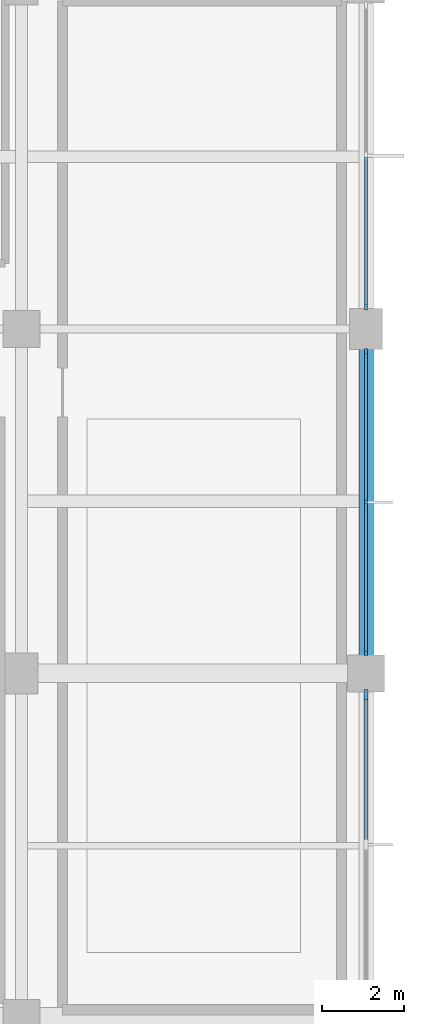
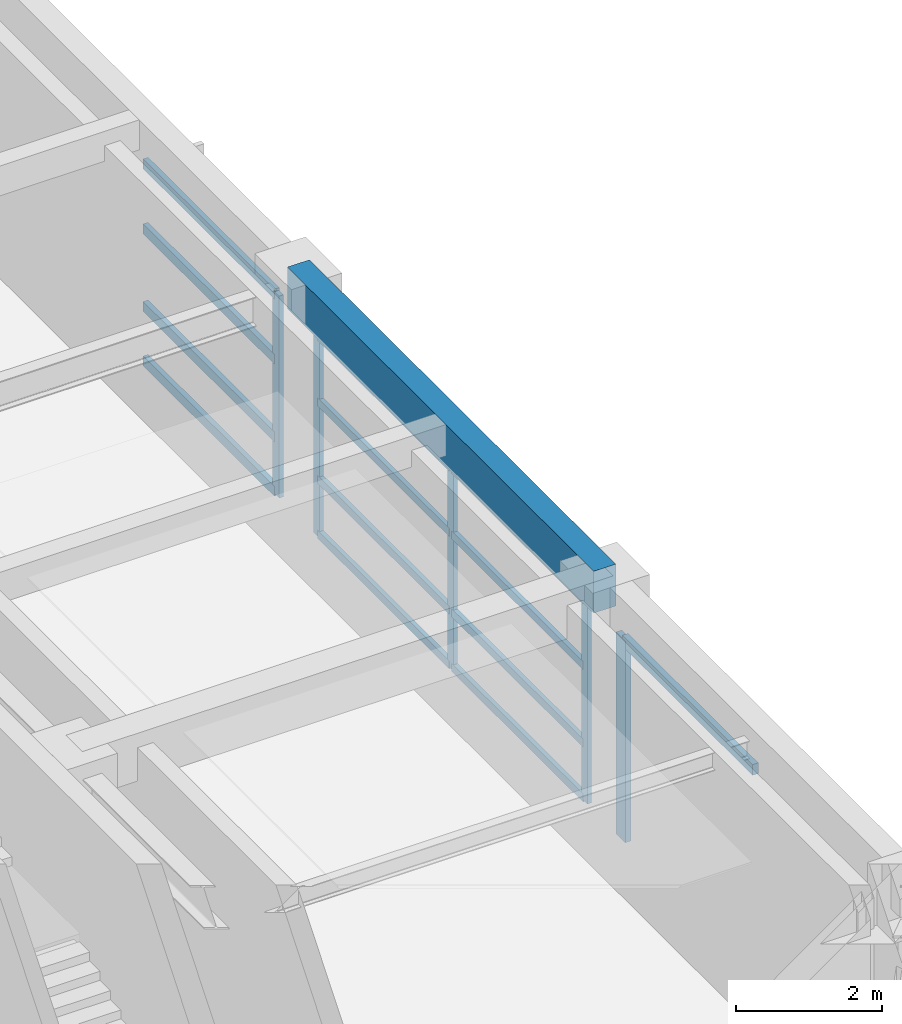
# One storey, part 4 of 11: 18 members, 1 beam, 3 elements without a shape of their own.
"""IFC4 building model written with IfcOpenShell, lengths in metres."""

from ifc_helpers import new_model, si_unit, direction, frame, origin, origin_2d, place, context, subcontext, project, spatial, rectangle, extrude, material, material_profile, profile_set, type_object, element, aggregate, save


model = new_model("IFC4")

# Units and contexts
model_context = context("Model", 3, precision=1e-05, world=origin(), true_north=direction((0.0, 1.0)))
body_context = subcontext(model_context, "Body", "Model", "MODEL_VIEW")
ifc_project = project(units=[si_unit("LENGTHUNIT", "METRE"), si_unit("AREAUNIT", "SQUARE_METRE"), si_unit("VOLUMEUNIT", "CUBIC_METRE"), si_unit("PLANEANGLEUNIT", "RADIAN"), si_unit("MASSUNIT", "GRAM", prefix="KILO")], contexts=[model_context])

# Site, building, storey
site_placement = place(None, origin())
site = spatial("IfcSite", under=ifc_project, at=site_placement, CompositionType="ELEMENT")
building_placement = place(site_placement, origin())
building = spatial("IfcBuilding", under=site, at=building_placement, Name="Xuanlan Plaza Opera House", CompositionType="ELEMENT")
storey_placement = place(building_placement, frame((0.0, 0.0, 57.300048828125)))
storey = spatial("IfcBuildingStorey", under=building, at=storey_placement, Name="L13", CompositionType="ELEMENT", Elevation=57.300048828125)

# Curtain wall, members
ifc_material_1 = material(Name="Anodised Aluminium 6063-T6 and Low-E Glass", Category="aluminium")
curtain_wall_type_1 = type_object("IfcCurtainWallType", Name="ENV-CW-CW-01", PredefinedType="USERDEFINED", material=ifc_material_1)
curtain_wall_1_placement = place(storey_placement, origin())
curtain_wall_1 = element("IfcCurtainWall", 1, at=curtain_wall_1_placement, inside=storey, type_object=curtain_wall_type_1, Name="Unitised Curtain Wall L13-006", ObjectType="UNITISED CURTAIN WALL", PredefinedType="USERDEFINED")
ifc_material_2 = material(Name="Anodised Aluminium 6063-T6", Category="aluminium")
ifc_material_profile_1 = material_profile(ifc_material_2, rectangle(XDim=0.06494140625, YDim=0.159912109375, at=origin_2d()), Name="ALU-M 65x160")
ifc_profile_set_1 = profile_set([ifc_material_profile_1], Name="Anodised Aluminium 6063-T6")
member_type_1 = type_object("IfcMemberType", Name="ENV-CWM-01", PredefinedType="MULLION", material=ifc_profile_set_1)
member_1_placement = place(storey_placement, frame((159.60009765625, 59.302490234375, 0.0), z_axis=(0.0, 0.0, 1.0), x_axis=(-1.0, 0.0, 0.0)))
member_1 = element("IfcMember", 2, at=member_1_placement, type_object=member_type_1, Name="CW-01 mullion 1", PredefinedType="MULLION", context=body_context, shape_type="SweptSolid", body=[
    extrude(rectangle(XDim=0.06494140625, YDim=0.159912109375, at=origin_2d()), origin(), (0.0, 0.0, 1.0), 3.3798828125),
])
member_2_placement = place(storey_placement, frame((159.60009765625, 62.97509765625, 0.0), z_axis=(0.0, 0.0, 1.0), x_axis=(-1.0, 0.0, 0.0)))
member_2 = element("IfcMember", 3, at=member_2_placement, type_object=member_type_1, Name="CW-01 mullion 2", PredefinedType="MULLION", context=body_context, shape_type="SweptSolid", body=[
    extrude(rectangle(XDim=0.06494140625, YDim=0.159912109375, at=origin_2d()), origin(), (0.0, 0.0, 1.0), 3.3798828125),
])
member_3_placement = place(storey_placement, frame((159.60009765625, 66.6474609375, 0.0), z_axis=(0.0, 0.0, 1.0), x_axis=(-1.0, 0.0, 0.0)))
member_3 = element("IfcMember", 4, at=member_3_placement, type_object=member_type_1, Name="CW-01 mullion 3", PredefinedType="MULLION", context=body_context, shape_type="SweptSolid", body=[
    extrude(rectangle(XDim=0.06494140625, YDim=0.159912109375, at=origin_2d()), origin(), (0.0, 0.0, 1.0), 3.3798828125),
])

# Curtain wall, member
curtain_wall_type_2 = type_object("IfcCurtainWallType", Name="ENV-CW-CW-02", PredefinedType="USERDEFINED", material=ifc_material_1)
curtain_wall_2_placement = place(storey_placement, origin())
curtain_wall_2 = element("IfcCurtainWall", 5, at=curtain_wall_2_placement, inside=storey, type_object=curtain_wall_type_2, Name="Unitised Curtain Wall L13-007", ObjectType="UNITISED CURTAIN WALL", PredefinedType="USERDEFINED")
ifc_material_profile_2 = material_profile(ifc_material_2, rectangle(XDim=0.070068359375, YDim=0.179931640625, at=origin_2d()), Name="ALU-M 70x180")
ifc_profile_set_2 = profile_set([ifc_material_profile_2], Name="Anodised Aluminium 6063-T6")
member_type_2 = type_object("IfcMemberType", Name="ENV-CWM-02", PredefinedType="MULLION", material=ifc_profile_set_2)
member_4_placement = place(storey_placement, frame((159.60009765625, 67.7548828125, 0.0), z_axis=(0.0, 0.0, 1.0), x_axis=(-1.0, 0.0, 0.0)))
member_4 = element("IfcMember", 6, at=member_4_placement, type_object=member_type_2, Name="CW-02 mullion 1", PredefinedType="MULLION", context=body_context, shape_type="SweptSolid", body=[
    extrude(rectangle(XDim=0.070068359375, YDim=0.179931640625, at=origin_2d()), origin(), (0.0, 0.0, 1.0), 3.3798828125),
])

curtain_wall_type_3 = type_object("IfcCurtainWallType", Name="ENV-CW-CW-04", PredefinedType="USERDEFINED", material=ifc_material_1)
curtain_wall_3_placement = place(storey_placement, origin())
curtain_wall_3 = element("IfcCurtainWall", 7, at=curtain_wall_3_placement, inside=storey, type_object=curtain_wall_type_3, Name="Unitised Curtain Wall L13-005", ObjectType="UNITISED CURTAIN WALL", PredefinedType="USERDEFINED")
ifc_material_profile_3 = material_profile(ifc_material_2, rectangle(XDim=0.090087890625, YDim=0.25, at=origin_2d()), Name="ALU-M 90x250")
ifc_profile_set_3 = profile_set([ifc_material_profile_3], Name="Anodised Aluminium 6063-T6")
member_type_3 = type_object("IfcMemberType", Name="ENV-CWM-05", PredefinedType="MULLION", material=ifc_profile_set_3)
member_5_placement = place(storey_placement, frame((159.60009765625, 58.284912109375, 0.0), z_axis=(0.0, 0.0, 1.0), x_axis=(-1.0, 0.0, 0.0)))
member_5 = element("IfcMember", 8, at=member_5_placement, type_object=member_type_3, Name="CW-04 mullion 3", PredefinedType="MULLION", context=body_context, shape_type="SweptSolid", body=[
    extrude(rectangle(XDim=0.090087890625, YDim=0.25, at=origin_2d()), origin(), (0.0, 0.0, 1.0), 3.3798828125),
])

# Member
ifc_material_profile_4 = material_profile(ifc_material_2, rectangle(XDim=0.070068359375, YDim=0.135009765625, at=origin_2d()), Name="ALU-T 70x135")
ifc_profile_set_4 = profile_set([ifc_material_profile_4], Name="Anodised Aluminium 6063-T6")
member_type_4 = type_object("IfcMemberType", Name="ENV-CWT-02", PredefinedType="USERDEFINED", material=ifc_profile_set_4)
member_6_placement = place(storey_placement, frame((159.60009765625, 59.3349609375, 0.034912109375), z_axis=(0.0, 1.0, 0.0), x_axis=(-1.0, 0.0, 0.0)))
member_6 = element("IfcMember", 9, at=member_6_placement, type_object=member_type_4, Name="CW-01 transom 1.1", ObjectType="TRANSOM", PredefinedType="USERDEFINED", context=body_context, shape_type="SweptSolid", body=[
    extrude(rectangle(XDim=0.070068359375, YDim=0.135009765625, at=origin_2d()), origin(), (0.0, 0.0, 1.0), 3.607421875),
])

member_7_placement = place(storey_placement, frame((159.60009765625, 59.3349609375, 0.949951171875), z_axis=(0.0, 1.0, 0.0), x_axis=(-1.0, 0.0, 0.0)))
member_7 = element("IfcMember", 10, at=member_7_placement, type_object=member_type_4, Name="CW-01 transom 1.2", ObjectType="TRANSOM", PredefinedType="USERDEFINED", context=body_context, shape_type="SweptSolid", body=[
    extrude(rectangle(XDim=0.070068359375, YDim=0.135009765625, at=origin_2d()), origin(), (0.0, 0.0, 1.0), 3.607421875),
])

member_8_placement = place(storey_placement, frame((159.60009765625, 59.3349609375, 2.25), z_axis=(0.0, 1.0, 0.0), x_axis=(-1.0, 0.0, 0.0)))
member_8 = element("IfcMember", 11, at=member_8_placement, type_object=member_type_4, Name="CW-01 transom 1.3", ObjectType="TRANSOM", PredefinedType="USERDEFINED", context=body_context, shape_type="SweptSolid", body=[
    extrude(rectangle(XDim=0.070068359375, YDim=0.135009765625, at=origin_2d()), origin(), (0.0, 0.0, 1.0), 3.607421875),
])

member_9_placement = place(storey_placement, frame((159.60009765625, 59.3349609375, 3.344970703125), z_axis=(0.0, 1.0, 0.0), x_axis=(-1.0, 0.0, 0.0)))
member_9 = element("IfcMember", 12, at=member_9_placement, type_object=member_type_4, Name="CW-01 transom 1.4", ObjectType="TRANSOM", PredefinedType="USERDEFINED", context=body_context, shape_type="SweptSolid", body=[
    extrude(rectangle(XDim=0.070068359375, YDim=0.135009765625, at=origin_2d()), origin(), (0.0, 0.0, 1.0), 3.607421875),
])

member_10_placement = place(storey_placement, frame((159.60009765625, 63.007568359375, 0.034912109375), z_axis=(0.0, 1.0, 0.0), x_axis=(-1.0, 0.0, 0.0)))
member_10 = element("IfcMember", 13, at=member_10_placement, type_object=member_type_4, Name="CW-01 transom 2.1", ObjectType="TRANSOM", PredefinedType="USERDEFINED", context=body_context, shape_type="SweptSolid", body=[
    extrude(rectangle(XDim=0.070068359375, YDim=0.135009765625, at=origin_2d()), origin(), (0.0, 0.0, 1.0), 3.607421875),
])

member_11_placement = place(storey_placement, frame((159.60009765625, 63.007568359375, 0.949951171875), z_axis=(0.0, 1.0, 0.0), x_axis=(-1.0, 0.0, 0.0)))
member_11 = element("IfcMember", 14, at=member_11_placement, type_object=member_type_4, Name="CW-01 transom 2.2", ObjectType="TRANSOM", PredefinedType="USERDEFINED", context=body_context, shape_type="SweptSolid", body=[
    extrude(rectangle(XDim=0.070068359375, YDim=0.135009765625, at=origin_2d()), origin(), (0.0, 0.0, 1.0), 3.607421875),
])

member_12_placement = place(storey_placement, frame((159.60009765625, 63.007568359375, 2.25), z_axis=(0.0, 1.0, 0.0), x_axis=(-1.0, 0.0, 0.0)))
member_12 = element("IfcMember", 15, at=member_12_placement, type_object=member_type_4, Name="CW-01 transom 2.3", ObjectType="TRANSOM", PredefinedType="USERDEFINED", context=body_context, shape_type="SweptSolid", body=[
    extrude(rectangle(XDim=0.070068359375, YDim=0.135009765625, at=origin_2d()), origin(), (0.0, 0.0, 1.0), 3.607421875),
])

member_13_placement = place(storey_placement, frame((159.60009765625, 63.007568359375, 3.344970703125), z_axis=(0.0, 1.0, 0.0), x_axis=(-1.0, 0.0, 0.0)))
member_13 = element("IfcMember", 16, at=member_13_placement, type_object=member_type_4, Name="CW-01 transom 2.4", ObjectType="TRANSOM", PredefinedType="USERDEFINED", context=body_context, shape_type="SweptSolid", body=[
    extrude(rectangle(XDim=0.070068359375, YDim=0.135009765625, at=origin_2d()), origin(), (0.0, 0.0, 1.0), 3.607421875),
])

aggregate(curtain_wall_1, [member_1, member_2, member_3, member_6, member_7, member_8, member_9, member_10, member_11, member_12, member_13])

ifc_material_profile_5 = material_profile(ifc_material_2, rectangle(XDim=0.080078125, YDim=0.1650390625, at=origin_2d()), Name="ALU-T 80x165")
ifc_profile_set_5 = profile_set([ifc_material_profile_5], Name="Anodised Aluminium 6063-T6")
member_type_5 = type_object("IfcMemberType", Name="ENV-CWT-04", PredefinedType="USERDEFINED", material=ifc_profile_set_5)
member_14_placement = place(storey_placement, frame((159.60009765625, 67.7900390625, 0.0400390625), z_axis=(0.0, 1.0, 0.0), x_axis=(-1.0, 0.0, 0.0)))
member_14 = element("IfcMember", 17, at=member_14_placement, type_object=member_type_5, Name="CW-02 transom 1.1", ObjectType="TRANSOM", PredefinedType="USERDEFINED", context=body_context, shape_type="SweptSolid", body=[
    extrude(rectangle(XDim=0.080078125, YDim=0.1650390625, at=origin_2d()), origin(), (0.0, 0.0, 1.0), 3.599853515625),
])

member_15_placement = place(storey_placement, frame((159.60009765625, 67.7900390625, 0.949951171875), z_axis=(0.0, 1.0, 0.0), x_axis=(-1.0, 0.0, 0.0)))
member_15 = element("IfcMember", 18, at=member_15_placement, type_object=member_type_5, Name="CW-02 transom 1.2", ObjectType="TRANSOM", PredefinedType="USERDEFINED", context=body_context, shape_type="SweptSolid", body=[
    extrude(rectangle(XDim=0.080078125, YDim=0.1650390625, at=origin_2d()), origin(), (0.0, 0.0, 1.0), 3.599853515625),
])

member_16_placement = place(storey_placement, frame((159.60009765625, 67.7900390625, 2.25), z_axis=(0.0, 1.0, 0.0), x_axis=(-1.0, 0.0, 0.0)))
member_16 = element("IfcMember", 19, at=member_16_placement, type_object=member_type_5, Name="CW-02 transom 1.3", ObjectType="TRANSOM", PredefinedType="USERDEFINED", context=body_context, shape_type="SweptSolid", body=[
    extrude(rectangle(XDim=0.080078125, YDim=0.1650390625, at=origin_2d()), origin(), (0.0, 0.0, 1.0), 3.599853515625),
])

member_17_placement = place(storey_placement, frame((159.60009765625, 67.7900390625, 3.33984375), z_axis=(0.0, 1.0, 0.0), x_axis=(-1.0, 0.0, 0.0)))
member_17 = element("IfcMember", 20, at=member_17_placement, type_object=member_type_5, Name="CW-02 transom 1.4", ObjectType="TRANSOM", PredefinedType="USERDEFINED", context=body_context, shape_type="SweptSolid", body=[
    extrude(rectangle(XDim=0.080078125, YDim=0.1650390625, at=origin_2d()), origin(), (0.0, 0.0, 1.0), 3.599853515625),
])

aggregate(curtain_wall_2, [member_4, member_14, member_15, member_16, member_17])

ifc_material_profile_6 = material_profile(ifc_material_2, rectangle(XDim=0.090087890625, YDim=0.179931640625, at=origin_2d()), Name="ALU-T 90x180")
ifc_profile_set_6 = profile_set([ifc_material_profile_6], Name="Anodised Aluminium 6063-T6")
member_type_6 = type_object("IfcMemberType", Name="ENV-CWT-05", PredefinedType="USERDEFINED", material=ifc_profile_set_6)
member_18_placement = place(storey_placement, frame((159.60009765625, 54.669921875, 3.3349609375), z_axis=(0.0, 1.0, 0.0), x_axis=(-1.0, 0.0, 0.0)))
member_18 = element("IfcMember", 21, at=member_18_placement, type_object=member_type_6, Name="CW-04 transom 2.4", ObjectType="TRANSOM", PredefinedType="USERDEFINED", context=body_context, shape_type="SweptSolid", body=[
    extrude(rectangle(XDim=0.090087890625, YDim=0.179931640625, at=origin_2d()), origin(), (0.0, 0.0, 1.0), 3.570068359375),
])

aggregate(curtain_wall_3, [member_5, member_18])

# Beam
ifc_material_3 = material(Name="Concrete C40", Category="concrete")
ifc_material_profile_7 = material_profile(ifc_material_3, rectangle(XDim=0.35009765625, YDim=0.699951171875, at=origin_2d()), Name="RC-SPD 350x700")
ifc_profile_set_7 = profile_set([ifc_material_profile_7], Name="Concrete C40")
beam_type = type_object("IfcBeamType", Name="STR-BM-SP-02", PredefinedType="SPANDREL", material=ifc_profile_set_7)
beam_placement = place(storey_placement, frame((159.60009765625, 58.800048828125, 3.849853515625), z_axis=(0.0, 1.0, 0.0), x_axis=(-1.0, 0.0, 0.0)))
element("IfcBeam", 22, at=beam_placement, inside=storey, type_object=beam_type, Name="Grid Beam Y L13 20/H-I", PredefinedType="SPANDREL", context=body_context, shape_type="SweptSolid", body=[
    extrude(rectangle(XDim=0.35009765625, YDim=0.699951171875, at=origin_2d()), origin(), (0.0, 0.0, 1.0), 8.39990234375),
])

save(model, "model.ifc")
